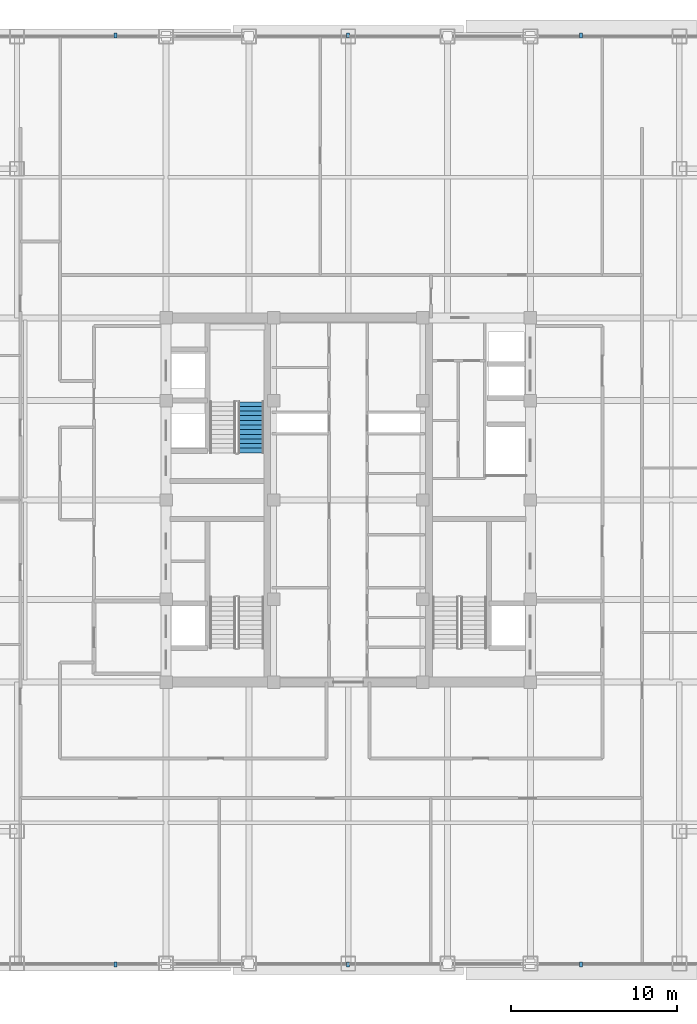
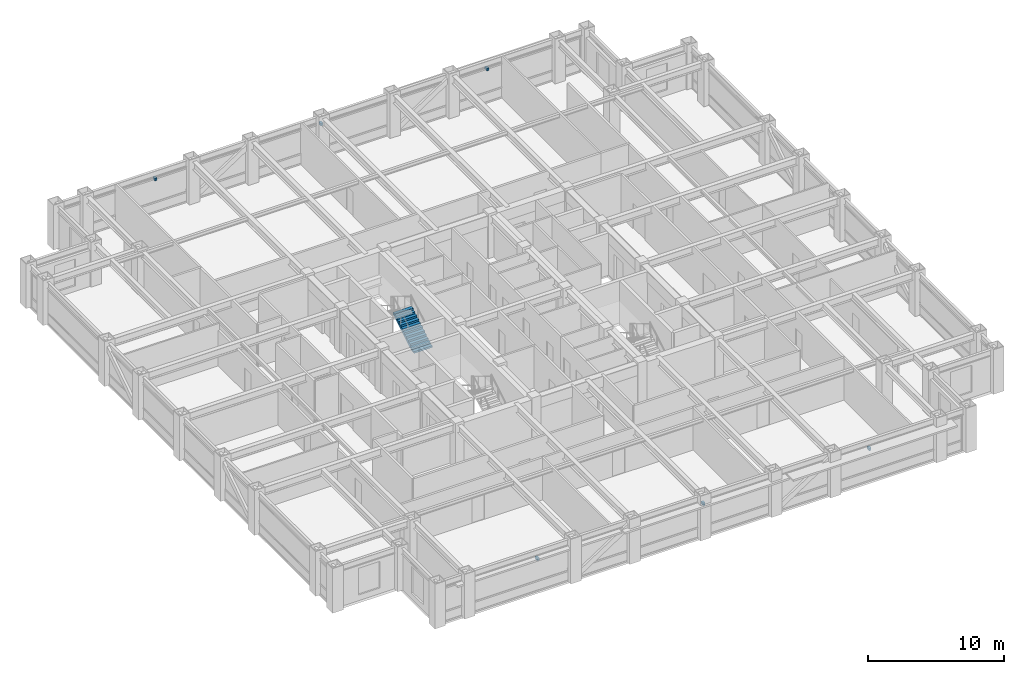
# One storey, part 22 of 27: 6 discrete accessories, 1 stair flight, 1 element without a shape of its own.
"""IFC4 building model written with IfcOpenShell, lengths in metres."""

import ifcopenshell
import ifcopenshell.guid

model = None  # the IFC model being written
_history = None  # IfcOwnerHistory: only IFC2X3 demands one
_inside = {}  # id of a spatial element -> (the spatial element, [elements in it])
_under = {}  # id of a project, library or spatial element -> (it, [spatial elements below it])
_declared = {}  # id of a project -> (the project, [libraries it declares])
_typed = {}  # id of a type object -> (the type object, [elements of that type])
_made_of = {}  # id of a material, layer set ... -> (it, [elements and type objects made of it])


def new_model(schema):
    """Start an empty IFC model of exactly this schema.

    Asked for "IFC4X3", IfcOpenShell would pick the latest addendum, in which some entities
    have other attributes; the version numbers below select the first issue.
    IFC2X3 requires an IfcOwnerHistory on every rooted entity: one is made here for all.
    """
    global model, _history
    if schema == "IFC4X3":
        model = ifcopenshell.file(schema_version=(4, 3, 0, 0))
    else:
        model = ifcopenshell.file(schema=schema)
    _inside.clear()
    _under.clear()
    _declared.clear()
    _typed.clear()
    _made_of.clear()
    _history = None
    if model.schema == "IFC2X3":
        org = make("IfcOrganization", Name="unknown")
        user = make(
            "IfcPersonAndOrganization",
            ThePerson=make("IfcPerson", FamilyName="unknown"),
            TheOrganization=org,
        )
        app = make(
            "IfcApplication",
            ApplicationDeveloper=org,
            Version="unknown",
            ApplicationFullName="unknown",
            ApplicationIdentifier="unknown",
        )
        _history = make(
            "IfcOwnerHistory",
            OwningUser=user,
            OwningApplication=app,
            ChangeAction="ADDED",
            CreationDate=0,
        )
    return model


def make(cls, **values):
    """One entity of the class cls with the attributes given. An attribute that is None is left unset."""
    return model.create_entity(
        cls, **{name: value for name, value in values.items() if value is not None}
    )


def rooted(cls, **values):
    """An entity with a GlobalId (a new one), such as an element, a storey or a relation."""
    return make(cls, GlobalId=ifcopenshell.guid.new(), OwnerHistory=_history, **values)


def si_unit(unit_type, name, prefix=None):
    """IfcSIUnit, for example si_unit("LENGTHUNIT", "METRE", prefix="MILLI")."""
    return make("IfcSIUnit", UnitType=unit_type, Prefix=prefix, Name=name)


def assignment(units):
    """IfcUnitAssignment: the units of a project."""
    return None if units is None else make("IfcUnitAssignment", Units=units)


def point(xyz):
    """IfcCartesianPoint."""
    return None if xyz is None else make("IfcCartesianPoint", Coordinates=xyz)


def direction(xyz):
    """IfcDirection."""
    return None if xyz is None else make("IfcDirection", DirectionRatios=xyz)


def frame(location, z_axis=None, x_axis=None):
    """IfcAxis2Placement3D, a coordinate frame: its origin and axes. An axis left out is left unset."""
    return make(
        "IfcAxis2Placement3D",
        Location=point(location),
        Axis=direction(z_axis),
        RefDirection=direction(x_axis),
    )


def frame_2d(location, x_axis=None):
    """IfcAxis2Placement2D, a coordinate frame in the plane: its origin and x axis."""
    return make(
        "IfcAxis2Placement2D", Location=point(location), RefDirection=direction(x_axis)
    )


def origin():
    """The frame at (0, 0, 0) with its axes left unset."""
    return frame((0.0, 0.0, 0.0))


def origin_2d():
    """The frame at (0, 0) in the plane with its x axis left unset."""
    return frame_2d((0.0, 0.0))


def place(relative_to, where):
    """IfcLocalPlacement: puts the frame where relative to a parent placement (None: the world)."""
    return make(
        "IfcLocalPlacement", PlacementRelTo=relative_to, RelativePlacement=where
    )


def context(
    kind, dimensions, precision=None, world=None, true_north=None, identifier=None
):
    """IfcGeometricRepresentationContext, for example the 3D "Model" context."""
    return make(
        "IfcGeometricRepresentationContext",
        ContextIdentifier=identifier,
        ContextType=kind,
        CoordinateSpaceDimension=dimensions,
        Precision=precision,
        WorldCoordinateSystem=world,
        TrueNorth=true_north,
    )


def subcontext(parent, identifier, kind, view, scale=None):
    """IfcGeometricRepresentationSubContext, for example "Body" below "Model"."""
    return make(
        "IfcGeometricRepresentationSubContext",
        ContextIdentifier=identifier,
        ContextType=kind,
        ParentContext=parent,
        TargetScale=scale,
        TargetView=view,
    )


def project(units=None, contexts=None):
    """IfcProject with its units and contexts."""
    return rooted(
        "IfcProject",
        Name="project",
        RepresentationContexts=contexts,
        UnitsInContext=assignment(units),
    )


def spatial(cls, under=None, at=None, **own):
    """A site, building, storey or space (cls), placed at a placement, below another one or the project."""
    s = rooted(cls, ObjectPlacement=at, **own)
    if under is not None:
        _under.setdefault(under.id(), (under, []))[1].append(s)
    return s


def polyline(points):
    """IfcPolyline through the points."""
    return make("IfcPolyline", Points=[point(p) for p in points])


def profile(cls, at=None, kind="AREA", **sizes):
    """A parametric profile (cls). Its sizes go by their IFC names, for example OverallWidth=200.0."""
    return make(cls, ProfileType=kind, Position=at, **sizes)


def rectangle(**sizes):
    """IfcRectangleProfileDef."""
    return profile("IfcRectangleProfileDef", **sizes)


def outline(outer, holes=None, kind="AREA"):
    """IfcArbitraryClosedProfileDef: a profile drawn as a closed curve; with holes, ...WithVoids."""
    if holes is None:
        return make("IfcArbitraryClosedProfileDef", ProfileType=kind, OuterCurve=outer)
    return make(
        "IfcArbitraryProfileDefWithVoids",
        ProfileType=kind,
        OuterCurve=outer,
        InnerCurves=holes,
    )


def extrude(swept, where, along, depth):
    """IfcExtrudedAreaSolid: the profile swept, set in the frame where, extruded along a direction by depth."""
    return make(
        "IfcExtrudedAreaSolid",
        SweptArea=swept,
        Position=where,
        ExtrudedDirection=direction(along),
        Depth=depth,
    )


def shape(context_of_items, identifier, shape_type, items):
    """IfcShapeRepresentation: the items that make up one representation, for example the "Body"."""
    return make(
        "IfcShapeRepresentation",
        ContextOfItems=context_of_items,
        RepresentationIdentifier=identifier,
        RepresentationType=shape_type,
        Items=items,
    )


def source(mapping_origin, context_of_items, identifier, shape_type, items):
    """IfcRepresentationMap: a shape defined once, which mapped items show again and again."""
    return make(
        "IfcRepresentationMap",
        MappingOrigin=mapping_origin,
        MappedRepresentation=shape(context_of_items, identifier, shape_type, items),
    )


def transform(
    local_origin,
    x_axis=None,
    y_axis=None,
    z_axis=None,
    scale=None,
    scale2=None,
    scale3=None,
    uniform=True,
):
    """IfcCartesianTransformationOperator3D, or its non-uniform kind. x_axis, y_axis, z_axis: its Axis1, 2, 3."""
    if uniform:
        return make(
            "IfcCartesianTransformationOperator3D",
            Axis1=direction(x_axis),
            Axis2=direction(y_axis),
            LocalOrigin=point(local_origin),
            Scale=scale,
            Axis3=direction(z_axis),
        )
    return make(
        "IfcCartesianTransformationOperator3DnonUniform",
        Axis1=direction(x_axis),
        Axis2=direction(y_axis),
        LocalOrigin=point(local_origin),
        Scale=scale,
        Axis3=direction(z_axis),
        Scale2=scale2,
        Scale3=scale3,
    )


def mapped(mapping_source, mapping_target):
    """IfcMappedItem: shows the shape of a source again, moved by a transform."""
    return make(
        "IfcMappedItem", MappingSource=mapping_source, MappingTarget=mapping_target
    )


def material(Name=None, Category=None):
    """IfcMaterial."""
    return make("IfcMaterial", Name=Name, Category=Category)


def made_of(thing, what):
    """Note that an element or type object is made of a material, layer set ...; save() writes the relation."""
    if what is not None:
        _made_of.setdefault(what.id(), (what, []))[1].append(thing)
    return thing


def type_object(cls, material=None, **own):
    """A type object (cls), such as IfcWallType, which elements share."""
    return made_of(rooted(cls, **own), material)


def element(
    cls,
    number,
    at=None,
    inside=None,
    cuts=None,
    type_object=None,
    material=None,
    context=None,
    identifier="Body",
    shape_type=None,
    held_by="IfcProductDefinitionShape",
    body=None,
    shapes=None,
    **own,
):
    """One element of the class cls, such as IfcWall. Its Tag is "e" and its number.

    at: its placement. inside: the storey or other place that contains it. cuts: it is an
    opening in that element (IfcRelVoidsElement). A single representation is given by context,
    identifier, shape_type and body (its items); several are given by shapes. held_by: the class
    of the entity that holds the representations. save() writes the other relations.
    """
    e = rooted(cls, Tag="e%d" % number, ObjectPlacement=at, **own)
    if body is not None:
        shapes = [shape(context, identifier, shape_type, body)]
    if shapes is not None:
        e.Representation = make(held_by, Representations=shapes)
    if inside is not None:
        _inside.setdefault(inside.id(), (inside, []))[1].append(e)
    if cuts is not None:
        rooted(
            "IfcRelVoidsElement", RelatingBuildingElement=cuts, RelatedOpeningElement=e
        )
    if type_object is not None:
        _typed.setdefault(type_object.id(), (type_object, []))[1].append(e)
    return made_of(e, material)


def aggregate(whole, parts):
    """IfcRelAggregates: a whole, such as a stair, and the parts it consists of."""
    return rooted("IfcRelAggregates", RelatingObject=whole, RelatedObjects=parts)


def save(model, path):
    """Write the relations noted so far, then the file.

    IfcRelAggregates (storeys below a building ...), IfcRelContainedInSpatialStructure (elements
    in a storey), IfcRelDefinesByType, IfcRelAssociatesMaterial and IfcRelDeclares: one each for
    every whole, place, type object, material and project.
    """
    for whole, parts in _under.values():
        aggregate(whole, parts)
    for where, things in _inside.values():
        rooted(
            "IfcRelContainedInSpatialStructure",
            RelatedElements=things,
            RelatingStructure=where,
        )
    for kind, things in _typed.values():
        rooted("IfcRelDefinesByType", RelatedObjects=things, RelatingType=kind)
    for what, things in _made_of.values():
        rooted("IfcRelAssociatesMaterial", RelatedObjects=things, RelatingMaterial=what)
    for by, libraries in _declared.values():
        rooted("IfcRelDeclares", RelatingContext=by, RelatedDefinitions=libraries)
    model.write(path)


model = new_model("IFC4")

# Units and contexts
model_context = context("Model", 3, precision=1e-05, world=origin(), true_north=direction((0.0, 1.0)))
body_context = subcontext(model_context, "Body", "Model", "MODEL_VIEW")
ifc_project = project(units=[si_unit("LENGTHUNIT", "METRE"), si_unit("AREAUNIT", "SQUARE_METRE"), si_unit("VOLUMEUNIT", "CUBIC_METRE"), si_unit("PLANEANGLEUNIT", "RADIAN"), si_unit("MASSUNIT", "GRAM", prefix="KILO")], contexts=[model_context])

# Site, building, storey
site_placement = place(None, origin())
site = spatial("IfcSite", under=ifc_project, at=site_placement, CompositionType="ELEMENT")
building_placement = place(site_placement, origin())
building = spatial("IfcBuilding", under=site, at=building_placement, Name="Khorayat Bourse Tower", CompositionType="ELEMENT")
storey_placement = place(building_placement, frame((0.0, 0.0, 313.5)))
storey = spatial("IfcBuildingStorey", under=building, at=storey_placement, Name="L74", CompositionType="ELEMENT", Elevation=313.5)

# Stair, stair flight
ifc_material_1 = material(Name="Concrete C40/50", Category="concrete")
stair_type = type_object("IfcStairType", Name="STR-CORE-1550", PredefinedType="HALF_TURN_STAIR", material=ifc_material_1)
stair_placement = place(storey_placement, origin())
stair = element("IfcStair", 1, at=stair_placement, inside=storey, type_object=stair_type, Name="L74 Exit Stair ST-2", PredefinedType="HALF_TURN_STAIR")
stair_flight_type = type_object("IfcStairFlightType", Name="FLT-CORE-1550", PredefinedType="STRAIGHT", material=ifc_material_1)
shared_shape_1 = source(origin(), body_context, "Body", "SweptSolid", [
    extrude(outline(polyline([(0.0, 0.0), (0.0, 0.166748046875), (0.280029296875, 0.166748046875), (0.280029296875, 0.333251953125), (0.56005859375, 0.333251953125), (0.56005859375, 0.5), (0.840087890625, 0.5), (0.840087890625, 0.666748046875), (1.1201171875, 0.666748046875), (1.1201171875, 0.833251953125), (1.39990234375, 0.833251953125), (1.39990234375, 1.0), (1.679931640625, 1.0), (1.679931640625, 1.166748046875), (1.9599609375, 1.166748046875), (1.9599609375, 1.333251953125), (2.239990234375, 1.333251953125), (2.239990234375, 1.5), (2.52001953125, 1.5), (2.52001953125, 1.666748046875), (2.800048828125, 1.666748046875), (2.800048828125, 1.833251953125), (3.080078125, 1.833251953125), (3.080078125, 2.0), (3.080078125, 1.6240234375), (0.351806640625, 0.0), (0.0, 0.0)])), frame((0.0, 0.77490234375, 0.0), z_axis=(0.0, -1.0, 0.0), x_axis=(1.0, 0.0, 0.0)), (0.0, 0.0, 1.0), 1.550048828125),
])
stair_flight_placement = place(storey_placement, frame((-5.875, 2.85009765625, 0.0), z_axis=(0.0, 0.0, 1.0), x_axis=(0.0, 1.0, 0.0)))
stair_flight = element("IfcStairFlight", 2, at=stair_flight_placement, type_object=stair_flight_type, Name="ST-2 flight 1", NumberOfRisers=12, NumberOfTreads=11, PredefinedType="STRAIGHT", RiserHeight=0.166666667, TreadLength=0.28, context=body_context, shape_type="MappedRepresentation", body=[
    mapped(shared_shape_1, transform((0.0, 0.0, 0.0), scale=1.0)),
])
aggregate(stair, [stair_flight])

# Discrete accessories
ifc_material_2 = material(Name="Steel EN 10025-2 S355J2", Category="steel")
discrete_accessory_type = type_object("IfcDiscreteAccessoryType", Name="ACC-SHADE-BRACKET", PredefinedType="BRACKET", material=ifc_material_2)
shared_shape_2 = source(origin(), body_context, "Body", "SweptSolid", [
    extrude(rectangle(XDim=0.179931640625, YDim=0.300048828125, at=origin_2d()), origin(), (0.0, 0.0, 1.0), 0.239990234375),
])
for number, where, z_axis, x_axis, name in (
    (3, (-14.066650390625, -28.06005859375, 2.8798828125), (0.0, 0.0, 1.0), (1.0, 0.0, 0.0), "L74 Sunshade Support Bracket S-1"),
    (4, (0.0, -28.06005859375, 2.8798828125), (0.0, 0.0, 1.0), (1.0, 0.0, 0.0), "L74 Sunshade Support Bracket S-2"),
    (5, (14.066650390625, -28.06005859375, 2.8798828125), (0.0, 0.0, 1.0), (1.0, 0.0, 0.0), "L74 Sunshade Support Bracket S-3"),
    (6, (-14.066650390625, 28.06005859375, 2.8798828125), (0.0, 0.0, 1.0), (1.0, 0.0, 0.0), "L74 Sunshade Support Bracket N-1"),
    (7, (0.0, 28.06005859375, 2.8798828125), (0.0, 0.0, 1.0), (1.0, 0.0, 0.0), "L74 Sunshade Support Bracket N-2"),
    (8, (14.066650390625, 28.06005859375, 2.8798828125), (0.0, 0.0, 1.0), (1.0, 0.0, 0.0), "L74 Sunshade Support Bracket N-3"),
):
    element("IfcDiscreteAccessory", number, at=place(storey_placement, frame(where, z_axis=z_axis, x_axis=x_axis)), inside=storey, type_object=discrete_accessory_type, Name=name, PredefinedType="BRACKET", context=body_context, shape_type="MappedRepresentation", body=[
        mapped(shared_shape_2, transform((0.0, 0.0, 0.0), scale=1.0)),
    ])

save(model, "model.ifc")
